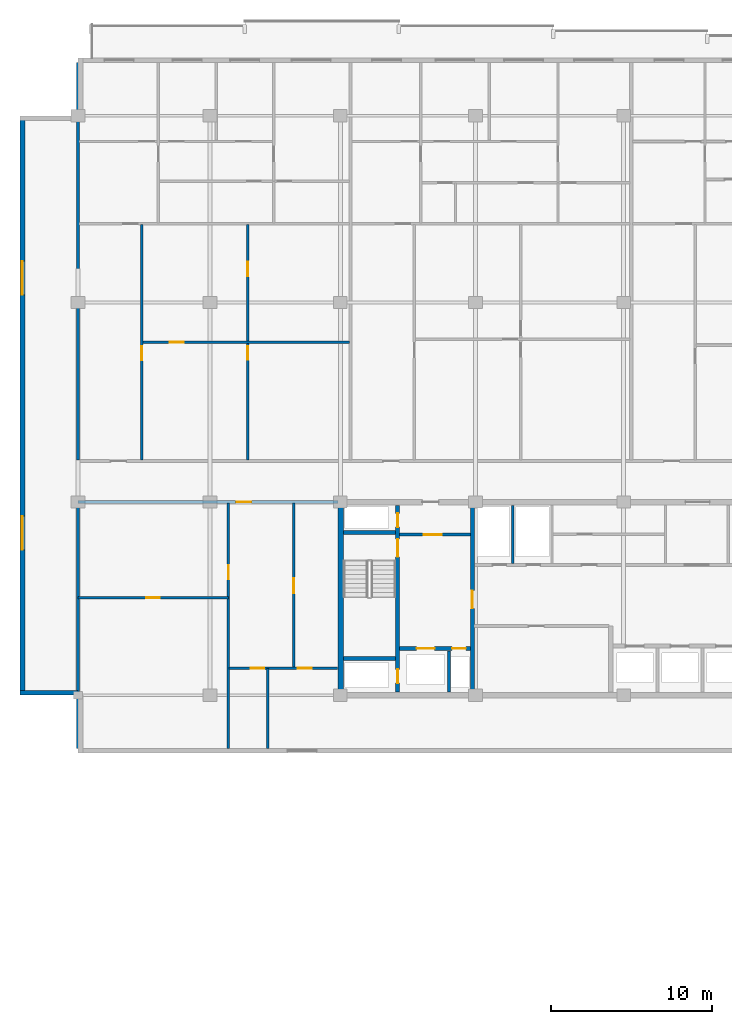
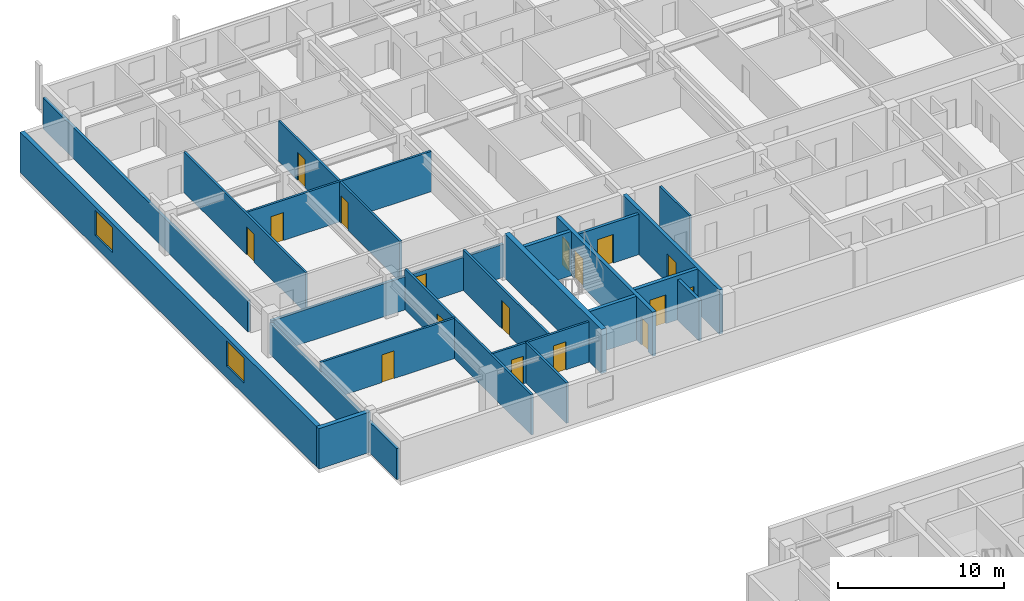
# One storey, part 11 of 23: 22 walls, 17 doors, 2 windows, 19 openings.
"""IFC4 building model written with IfcOpenShell, lengths in metres."""

from ifc_helpers import new_model, si_unit, direction, frame, frame_2d, origin, place, context, subcontext, project, spatial, rectangle, extrude, material, layer, layer_set, type_object, element, fill, save


model = new_model("IFC4")

# Units and contexts
model_context = context("Model", 3, precision=1e-05, world=origin(), true_north=direction((0.0, 1.0)))
body_context = subcontext(model_context, "Body", "Model", "MODEL_VIEW")
ifc_project = project(units=[si_unit("LENGTHUNIT", "METRE"), si_unit("AREAUNIT", "SQUARE_METRE"), si_unit("VOLUMEUNIT", "CUBIC_METRE"), si_unit("PLANEANGLEUNIT", "RADIAN"), si_unit("MASSUNIT", "GRAM", prefix="KILO")], contexts=[model_context])

# Site, building, storey
site_placement = place(None, origin())
site = spatial("IfcSite", under=ifc_project, at=site_placement, CompositionType="ELEMENT")
building_placement = place(site_placement, origin())
building = spatial("IfcBuilding", under=site, at=building_placement, Name="Korimba Cascade Residences", CompositionType="ELEMENT")
storey_placement = place(building_placement, frame((0.0, 0.0, 165.35009765625)))
storey = spatial("IfcBuildingStorey", under=building, at=storey_placement, Name="L47", CompositionType="ELEMENT", Elevation=165.35009765625)

# Wall, openings, windows
ifc_material_1 = material(Name="Precast concrete C40/50", Category="concrete")
ifc_layer_1 = layer(ifc_material_1, 0.300048828125)
ifc_layer_set_1 = layer_set([ifc_layer_1], Name="Precast concrete C40/50")
wall_type_1 = type_object("IfcWallType", Name="EW-STONE-300", PredefinedType="STANDARD", material=ifc_layer_set_1)
wall_1_placement = place(storey_placement, frame((56.35009765625, 91.199951171875, 0.0), z_axis=(0.0, 0.0, 1.0), x_axis=(0.0, -1.0, 0.0)))
wall_1 = element("IfcWall", 1, at=wall_1_placement, inside=storey, type_object=wall_type_1, Name="L47 T1 Perimeter Stone Wall E09", PredefinedType="STANDARD", context=body_context, shape_type="SweptSolid", body=[
    extrude(rectangle(XDim=36.0, YDim=0.300048828125, at=frame_2d((18.0, 0.0))), origin(), (0.0, 0.0, 1.0), 2.969970703125),
])
opening_1_placement = place(wall_1_placement, frame((9.030029296875, 0.0, 0.85009765625)))
opening_1 = element("IfcOpeningElement", 2, at=opening_1_placement, cuts=wall_1, Name="Opening W-03", PredefinedType="OPENING", context=body_context, shape_type="SweptSolid", body=[
    extrude(rectangle(XDim=2.10009765625, YDim=1.85009765625, at=frame_2d((1.050048828125, 0.925048828125))), frame((0.0, 0.16015625, 0.0), z_axis=(0.0, -1.0, 0.0), x_axis=(1.0, 0.0, 0.0)), (0.0, 0.0, 1.0), 0.320068359375),
])
opening_2_placement = place(wall_1_placement, frame((24.8701171875, 0.0, 0.85009765625)))
opening_2 = element("IfcOpeningElement", 3, at=opening_2_placement, cuts=wall_1, Name="Opening W-03", PredefinedType="OPENING", context=body_context, shape_type="SweptSolid", body=[
    extrude(rectangle(XDim=2.10009765625, YDim=1.85009765625, at=frame_2d((1.050048828125, 0.925048828125))), frame((0.0, 0.16015625, 0.0), z_axis=(0.0, -1.0, 0.0), x_axis=(1.0, 0.0, 0.0)), (0.0, 0.0, 1.0), 0.320068359375),
])
ifc_material_2 = material(Name="Double-Glazed Aluminium Window", Category="aluminium")
window_type = type_object("IfcWindowType", Name="WIN-CRN-2100", PartitioningType="DOUBLE_PANEL_HORIZONTAL", PredefinedType="WINDOW", material=ifc_material_2)
window_1_placement = place(opening_1_placement, origin())
window_1 = element("IfcWindow", 4, at=window_1_placement, inside=storey, type_object=window_type, Name="L47 T1 End View Window 9.1", OverallHeight=1.85009765625, OverallWidth=2.10009765625, PartitioningType="DOUBLE_PANEL_HORIZONTAL", PredefinedType="WINDOW", context=body_context, shape_type="SweptSolid", body=[
    extrude(rectangle(XDim=2.10009765625, YDim=1.85009765625, at=frame_2d((1.050048828125, 0.925048828125))), frame((0.0, 0.030029296875, 0.0), z_axis=(0.0, -1.0, 0.0), x_axis=(1.0, 0.0, 0.0)), (0.0, 0.0, 1.0), 0.06005859375),
])
fill(opening_1, window_1)
window_2_placement = place(opening_2_placement, origin())
window_2 = element("IfcWindow", 5, at=window_2_placement, inside=storey, type_object=window_type, Name="L47 T1 End View Window 9.2", OverallHeight=1.85009765625, OverallWidth=2.10009765625, PartitioningType="DOUBLE_PANEL_HORIZONTAL", PredefinedType="WINDOW", context=body_context, shape_type="SweptSolid", body=[
    extrude(rectangle(XDim=2.10009765625, YDim=1.85009765625, at=frame_2d((1.050048828125, 0.925048828125))), frame((0.0, 0.030029296875, 0.0), z_axis=(0.0, -1.0, 0.0), x_axis=(1.0, 0.0, 0.0)), (0.0, 0.0, 1.0), 0.06005859375),
])
fill(opening_2, window_2)

# Walls
wall_2_placement = place(storey_placement, frame((56.199951171875, 55.35009765625, 0.0), z_axis=(0.0, 0.0, 1.0), x_axis=(1.0, 0.0, 0.0)))
element("IfcWall", 6, at=wall_2_placement, inside=storey, type_object=wall_type_1, Name="L47 T1 Perimeter Stone Wall E10", PredefinedType="STANDARD", context=body_context, shape_type="SweptSolid", body=[
    extrude(rectangle(XDim=3.60009765625, YDim=0.300048828125, at=frame_2d((1.800048828125, 0.0))), origin(), (0.0, 0.0, 1.0), 2.969970703125),
])
ifc_material_3 = material(Name="Concrete C65/80", Category="concrete")
ifc_layer_2 = layer(ifc_material_3, 0.35009765625)
ifc_layer_set_2 = layer_set([ifc_layer_2], Name="Concrete C65/80")
wall_type_2 = type_object("IfcWallType", Name="WAL-CORE-350", PredefinedType="SHEAR", material=ifc_layer_set_2)
wall_3_placement = place(storey_placement, frame((76.125, 55.375, 0.0), z_axis=(0.0, 0.0, 1.0), x_axis=(0.0, 1.0, 0.0)))
element("IfcWall", 7, at=wall_3_placement, inside=storey, type_object=wall_type_2, Name="L47 Core Shear Wall CW-L47-T1-W", PredefinedType="SHEAR", context=body_context, shape_type="SweptSolid", body=[
    extrude(rectangle(XDim=11.64990234375, YDim=0.35009765625, at=frame_2d((5.824951171875, 0.0))), origin(), (0.0, 0.0, 1.0), 3.25),
])
ifc_layer_3 = layer(ifc_material_1, 0.199951171875)
ifc_layer_set_3 = layer_set([ifc_layer_3], Name="Precast concrete C40/50")
wall_type_3 = type_object("IfcWallType", Name="WAL-IT-200", PredefinedType="PARTITIONING", material=ifc_layer_set_3)
wall_4_placement = place(storey_placement, frame((59.800048828125, 51.89990234375, 0.0), z_axis=(0.0, 0.0, 1.0), x_axis=(0.0, 1.0, 0.0)))
element("IfcWall", 8, at=wall_4_placement, inside=storey, type_object=wall_type_3, Name="L47 Partition Wall WAL-L47-T1-FW-WL", PredefinedType="PARTITIONING", context=body_context, shape_type="SweptSolid", body=[
    extrude(rectangle(XDim=15.300048828125, YDim=0.199951171875, at=frame_2d((7.64990234375, 0.0))), origin(), (0.0, 0.0, 1.0), 2.277099609375),
])

# Wall, opening, door
wall_5_placement = place(storey_placement, frame((59.800048828125, 67.199951171875, 0.0), z_axis=(0.0, 0.0, 1.0), x_axis=(1.0, 0.0, 0.0)))
wall_5 = element("IfcWall", 9, at=wall_5_placement, inside=storey, type_object=wall_type_3, Name="L47 Partition Wall WAL-L47-T1-FW-N", PredefinedType="PARTITIONING", context=body_context, shape_type="SweptSolid", body=[
    extrude(rectangle(XDim=16.14990234375, YDim=0.199951171875, at=frame_2d((8.074951171875, 0.0))), origin(), (0.0, 0.0, 1.0), 2.43310546875),
])
opening_3_placement = place(wall_5_placement, frame((9.823486328125, 0.0, 0.0)))
opening_3 = element("IfcOpeningElement", 10, at=opening_3_placement, cuts=wall_5, Name="Opening D-UN1", PredefinedType="OPENING", context=body_context, shape_type="SweptSolid", body=[
    extrude(rectangle(XDim=0.949951171875, YDim=2.14990234375, at=frame_2d((0.47509765625, 1.074951171875))), frame((0.0, 0.10986328125, 0.0), z_axis=(0.0, -1.0, 0.0), x_axis=(1.0, 0.0, 0.0)), (0.0, 0.0, 1.0), 0.219970703125),
])
ifc_material_4 = material(Name="Fire-Rated Hardwood Apartment Entrance Door", Category="wood")
door_type_1 = type_object("IfcDoorType", Name="DR-FD60-950", OperationType="NOTDEFINED", PredefinedType="DOOR", material=ifc_material_4)
door_1_placement = place(opening_3_placement, origin())
door_1 = element("IfcDoor", 11, at=door_1_placement, inside=storey, type_object=door_type_1, Name="L47-T1-FW Entrance Door", OperationType="SINGLE_SWING_RIGHT", OverallHeight=2.14990234375, OverallWidth=0.949951171875, PredefinedType="DOOR", context=body_context, shape_type="SweptSolid", body=[
    extrude(rectangle(XDim=0.949951171875, YDim=2.14990234375, at=frame_2d((0.47509765625, 1.074951171875))), frame((0.0, 0.02490234375, 0.0), z_axis=(0.0, -1.0, 0.0), x_axis=(1.0, 0.0, 0.0)), (0.0, 0.0, 1.0), 0.050048828125),
])
fill(opening_3, door_1)

# Walls
wall_6_placement = place(storey_placement, frame((59.800048828125, 69.830078125, 0.0), z_axis=(0.0, 0.0, 1.0), x_axis=(0.0, 1.0, 0.0)))
element("IfcWall", 12, at=wall_6_placement, inside=storey, type_object=wall_type_3, Name="L47 Partition Wall WAL-L47-T1-BNDWL", PredefinedType="PARTITIONING", context=body_context, shape_type="SweptSolid", body=[
    extrude(rectangle(XDim=24.669921875, YDim=0.199951171875, at=frame_2d((12.3349609375, 0.0))), origin(), (0.0, 0.0, 1.0), 2.277099609375),
])
ifc_material_5 = material(Name="Insulated Acoustic Stud Partition", Category="gypsum")
ifc_layer_4 = layer(ifc_material_5, 0.14990234375)
ifc_layer_set_4 = layer_set([ifc_layer_4], Name="Insulated Acoustic Stud Partition")
wall_type_4 = type_object("IfcWallType", Name="WAL-PART-150", PredefinedType="PARTITIONING", material=ifc_layer_set_4)
wall_7_placement = place(storey_placement, frame((86.800048828125, 63.39990234375, 0.0), z_axis=(0.0, 0.0, 1.0), x_axis=(0.0, 1.0, 0.0)))
element("IfcWall", 13, at=wall_7_placement, inside=storey, type_object=wall_type_4, Name="L47 Partition Wall CW-L47-T1-ERDIV", PredefinedType="PARTITIONING", context=body_context, shape_type="SweptSolid", body=[
    extrude(rectangle(XDim=3.60009765625, YDim=0.14990234375, at=frame_2d((1.800048828125, 0.0))), origin(), (0.0, 0.0, 1.0), 2.969970703125),
])

# Wall, opening, door
wall_8_placement = place(storey_placement, frame((59.800048828125, 61.25, 0.0), z_axis=(0.0, 0.0, 1.0), x_axis=(1.0, 0.0, 0.0)))
wall_8 = element("IfcWall", 14, at=wall_8_placement, inside=storey, type_object=wall_type_4, Name="L47 Partition Wall WAL-L47-T1-FW-STH", PredefinedType="PARTITIONING", context=body_context, shape_type="SweptSolid", body=[
    extrude(rectangle(XDim=9.349853515625, YDim=0.14990234375, at=frame_2d((4.6748046875, 0.0))), origin(), (0.0, 0.0, 1.0), 2.969970703125),
])
opening_4_placement = place(wall_8_placement, frame((4.2548828125, 0.0, 0.0)))
opening_4 = element("IfcOpeningElement", 15, at=opening_4_placement, cuts=wall_8, Name="Opening D-BT1", PredefinedType="OPENING", context=body_context, shape_type="SweptSolid", body=[
    extrude(rectangle(XDim=0.840087890625, YDim=2.0400390625, at=frame_2d((0.419921875, 1.02001953125))), frame((0.0, 0.0849609375, 0.0), z_axis=(0.0, -1.0, 0.0), x_axis=(1.0, 0.0, 0.0)), (0.0, 0.0, 1.0), 0.169921875),
])
ifc_material_6 = material(Name="Moisture-Resistant Bathroom Timber Door", Category="wood")
door_type_2 = type_object("IfcDoorType", Name="DR-INT-850", OperationType="NOTDEFINED", PredefinedType="DOOR", material=ifc_material_6)
door_2_placement = place(opening_4_placement, origin())
door_2 = element("IfcDoor", 16, at=door_2_placement, inside=storey, type_object=door_type_2, Name="L47-T1-FW Dressing Store Door", OperationType="SINGLE_SWING_LEFT", OverallHeight=2.0400390625, OverallWidth=0.840087890625, PredefinedType="DOOR", context=body_context, shape_type="SweptSolid", body=[
    extrude(rectangle(XDim=0.840087890625, YDim=2.0400390625, at=frame_2d((0.419921875, 1.02001953125))), frame((0.0, 0.02490234375, 0.0), z_axis=(0.0, -1.0, 0.0), x_axis=(1.0, 0.0, 0.0)), (0.0, 0.0, 1.0), 0.050048828125),
])
fill(opening_4, door_2)

wall_9_placement = place(storey_placement, frame((69.14990234375, 51.89990234375, 0.0), z_axis=(0.0, 0.0, 1.0), x_axis=(0.0, 1.0, 0.0)))
wall_9 = element("IfcWall", 17, at=wall_9_placement, inside=storey, type_object=wall_type_4, Name="L47 Partition Wall WAL-L47-T1-FW-STV", PredefinedType="PARTITIONING", context=body_context, shape_type="SweptSolid", body=[
    extrude(rectangle(XDim=15.25, YDim=0.14990234375, at=frame_2d((7.625, 0.0))), origin(), (0.0, 0.0, 1.0), 2.969970703125),
])
opening_5_placement = place(wall_9_placement, frame((10.5, 0.0, 0.0)))
opening_5 = element("IfcOpeningElement", 18, at=opening_5_placement, cuts=wall_9, Name="Opening D-IN2", PredefinedType="OPENING", context=body_context, shape_type="SweptSolid", body=[
    extrude(rectangle(XDim=0.8798828125, YDim=2.06005859375, at=frame_2d((0.43994140625, 1.030029296875))), frame((0.0, 0.0849609375, 0.0), z_axis=(0.0, -1.0, 0.0), x_axis=(1.0, 0.0, 0.0)), (0.0, 0.0, 1.0), 0.169921875),
])
ifc_material_7 = material(Name="Acoustic Timber Bedroom Door", Category="wood")
door_type_3 = type_object("IfcDoorType", Name="DR-INT-880", OperationType="NOTDEFINED", PredefinedType="DOOR", material=ifc_material_7)
door_3_placement = place(opening_5_placement, origin())
door_3 = element("IfcDoor", 19, at=door_3_placement, inside=storey, type_object=door_type_3, Name="L47-T1-FW Study Door", OperationType="SINGLE_SWING_RIGHT", OverallHeight=2.06005859375, OverallWidth=0.8798828125, PredefinedType="DOOR", context=body_context, shape_type="SweptSolid", body=[
    extrude(rectangle(XDim=0.8798828125, YDim=2.06005859375, at=frame_2d((0.43994140625, 1.030029296875))), frame((0.0, 0.02490234375, 0.0), z_axis=(0.0, -1.0, 0.0), x_axis=(1.0, 0.0, 0.0)), (0.0, 0.0, 1.0), 0.050048828125),
])
fill(opening_5, door_3)

wall_10_placement = place(storey_placement, frame((73.199951171875, 56.8701171875, 0.0), z_axis=(0.0, 0.0, 1.0), x_axis=(0.0, 1.0, 0.0)))
wall_10 = element("IfcWall", 20, at=wall_10_placement, inside=storey, type_object=wall_type_4, Name="L47 Partition Wall WAL-L47-T1-FW-VN", PredefinedType="PARTITIONING", context=body_context, shape_type="SweptSolid", body=[
    extrude(rectangle(XDim=10.27978515625, YDim=0.14990234375, at=frame_2d((5.139892578125, 0.0))), origin(), (0.0, 0.0, 1.0), 2.969970703125),
])
opening_6_placement = place(wall_10_placement, frame((4.679931640625, 0.0, 0.0)))
opening_6 = element("IfcOpeningElement", 21, at=opening_6_placement, cuts=wall_10, Name="Opening D-IN1", PredefinedType="OPENING", context=body_context, shape_type="SweptSolid", body=[
    extrude(rectangle(XDim=0.919921875, YDim=2.080078125, at=frame_2d((0.4599609375, 1.0400390625))), frame((0.0, 0.0849609375, 0.0), z_axis=(0.0, -1.0, 0.0), x_axis=(1.0, 0.0, 0.0)), (0.0, 0.0, 1.0), 0.169921875),
])
ifc_material_8 = material(Name="Acoustic Timber Living Door", Category="wood")
door_type_4 = type_object("IfcDoorType", Name="DR-INT-920", OperationType="NOTDEFINED", PredefinedType="DOOR", material=ifc_material_8)
door_4_placement = place(opening_6_placement, origin())
door_4 = element("IfcDoor", 22, at=door_4_placement, inside=storey, type_object=door_type_4, Name="L47-T1-FW Living Door", OperationType="SINGLE_SWING_LEFT", OverallHeight=2.080078125, OverallWidth=0.919921875, PredefinedType="DOOR", context=body_context, shape_type="SweptSolid", body=[
    extrude(rectangle(XDim=0.919921875, YDim=2.080078125, at=frame_2d((0.4599609375, 1.0400390625))), frame((0.0, 0.02490234375, 0.0), z_axis=(0.0, -1.0, 0.0), x_axis=(1.0, 0.0, 0.0)), (0.0, 0.0, 1.0), 0.050048828125),
])
fill(opening_6, door_4)

# Wall
wall_11_placement = place(storey_placement, frame((71.60009765625, 51.89990234375, 0.0), z_axis=(0.0, 0.0, 1.0), x_axis=(0.0, 1.0, 0.0)))
element("IfcWall", 23, at=wall_11_placement, inside=storey, type_object=wall_type_4, Name="L47 Partition Wall WAL-L47-T1-FW-VS", PredefinedType="PARTITIONING", context=body_context, shape_type="SweptSolid", body=[
    extrude(rectangle(XDim=4.97021484375, YDim=0.14990234375, at=frame_2d((2.485107421875, 0.0))), origin(), (0.0, 0.0, 1.0), 2.969970703125),
])

# Wall, openings, doors
wall_12_placement = place(storey_placement, frame((69.169921875, 56.8701171875, 0.0), z_axis=(0.0, 0.0, 1.0), x_axis=(1.0, 0.0, 0.0)))
wall_12 = element("IfcWall", 24, at=wall_12_placement, inside=storey, type_object=wall_type_4, Name="L47 Partition Wall WAL-L47-T1-FW-H", PredefinedType="PARTITIONING", context=body_context, shape_type="SweptSolid", body=[
    extrude(rectangle(XDim=6.760009765625, YDim=0.14990234375, at=frame_2d((3.3798828125, 0.0))), origin(), (0.0, 0.0, 1.0), 2.969970703125),
])
opening_7_placement = place(wall_12_placement, frame((1.3623046875, 0.0, 0.0)))
opening_7 = element("IfcOpeningElement", 25, at=opening_7_placement, cuts=wall_12, Name="Opening D-BT1", PredefinedType="OPENING", context=body_context, shape_type="SweptSolid", body=[
    extrude(rectangle(XDim=0.840087890625, YDim=2.0400390625, at=frame_2d((0.419921875, 1.02001953125))), frame((0.0, 0.0849609375, 0.0), z_axis=(0.0, -1.0, 0.0), x_axis=(1.0, 0.0, 0.0)), (0.0, 0.0, 1.0), 0.169921875),
])
opening_8_placement = place(wall_12_placement, frame((4.276611328125, 0.0, 0.0)))
opening_8 = element("IfcOpeningElement", 26, at=opening_8_placement, cuts=wall_12, Name="Opening D-IN2", PredefinedType="OPENING", context=body_context, shape_type="SweptSolid", body=[
    extrude(rectangle(XDim=0.8798828125, YDim=2.06005859375, at=frame_2d((0.43994140625, 1.030029296875))), frame((0.0, 0.0849609375, 0.0), z_axis=(0.0, -1.0, 0.0), x_axis=(1.0, 0.0, 0.0)), (0.0, 0.0, 1.0), 0.169921875),
])
door_5_placement = place(opening_7_placement, origin())
door_5 = element("IfcDoor", 27, at=door_5_placement, inside=storey, type_object=door_type_2, Name="L47-T1-FW Bathroom Door", OperationType="SINGLE_SWING_RIGHT", OverallHeight=2.0400390625, OverallWidth=0.840087890625, PredefinedType="DOOR", context=body_context, shape_type="SweptSolid", body=[
    extrude(rectangle(XDim=0.840087890625, YDim=2.0400390625, at=frame_2d((0.419921875, 1.02001953125))), frame((0.0, 0.02490234375, 0.0), z_axis=(0.0, -1.0, 0.0), x_axis=(1.0, 0.0, 0.0)), (0.0, 0.0, 1.0), 0.050048828125),
])
fill(opening_7, door_5)
door_6_placement = place(opening_8_placement, origin())
door_6 = element("IfcDoor", 28, at=door_6_placement, inside=storey, type_object=door_type_3, Name="L47-T1-FW Bedroom Door", OperationType="SINGLE_SWING_LEFT", OverallHeight=2.06005859375, OverallWidth=0.8798828125, PredefinedType="DOOR", context=body_context, shape_type="SweptSolid", body=[
    extrude(rectangle(XDim=0.8798828125, YDim=2.06005859375, at=frame_2d((0.43994140625, 1.030029296875))), frame((0.0, 0.02490234375, 0.0), z_axis=(0.0, -1.0, 0.0), x_axis=(1.0, 0.0, 0.0)), (0.0, 0.0, 1.0), 0.050048828125),
])
fill(opening_8, door_6)

wall_13_placement = place(storey_placement, frame((70.342529296875, 69.81005859375, 0.0), z_axis=(0.0, 0.0, 1.0), x_axis=(0.0, 1.0, 0.0)))
wall_13 = element("IfcWall", 29, at=wall_13_placement, inside=storey, type_object=wall_type_4, Name="L47 Partition Wall WAL-L47-T1-U01-FMV", PredefinedType="PARTITIONING", context=body_context, shape_type="SweptSolid", body=[
    extrude(rectangle(XDim=14.64990234375, YDim=0.14990234375, at=frame_2d((7.324951171875, 0.0))), origin(), (0.0, 0.0, 1.0), 2.969970703125),
])
opening_9_placement = place(wall_13_placement, frame((6.235107421875, 0.0, 0.0)))
opening_9 = element("IfcOpeningElement", 30, at=opening_9_placement, cuts=wall_13, Name="Opening D-BT1", PredefinedType="OPENING", context=body_context, shape_type="SweptSolid", body=[
    extrude(rectangle(XDim=0.840087890625, YDim=2.0400390625, at=frame_2d((0.419921875, 1.02001953125))), frame((0.0, 0.0849609375, 0.0), z_axis=(0.0, -1.0, 0.0), x_axis=(1.0, 0.0, 0.0)), (0.0, 0.0, 1.0), 0.169921875),
])
opening_10_placement = place(wall_13_placement, frame((11.4326171875, 0.0, 0.0)))
opening_10 = element("IfcOpeningElement", 31, at=opening_10_placement, cuts=wall_13, Name="Opening D-IN2", PredefinedType="OPENING", context=body_context, shape_type="SweptSolid", body=[
    extrude(rectangle(XDim=0.8798828125, YDim=2.06005859375, at=frame_2d((0.43994140625, 1.030029296875))), frame((0.0, 0.0849609375, 0.0), z_axis=(0.0, -1.0, 0.0), x_axis=(1.0, 0.0, 0.0)), (0.0, 0.0, 1.0), 0.169921875),
])
door_7_placement = place(opening_9_placement, origin())
door_7 = element("IfcDoor", 32, at=door_7_placement, inside=storey, type_object=door_type_2, Name="L47-T1-U01 Wardrobe Door", OperationType="SINGLE_SWING_LEFT", OverallHeight=2.0400390625, OverallWidth=0.840087890625, PredefinedType="DOOR", context=body_context, shape_type="SweptSolid", body=[
    extrude(rectangle(XDim=0.840087890625, YDim=2.0400390625, at=frame_2d((0.419921875, 1.02001953125))), frame((0.0, 0.02490234375, 0.0), z_axis=(0.0, -1.0, 0.0), x_axis=(1.0, 0.0, 0.0)), (0.0, 0.0, 1.0), 0.050048828125),
])
fill(opening_9, door_7)
door_8_placement = place(opening_10_placement, origin())
door_8 = element("IfcDoor", 33, at=door_8_placement, inside=storey, type_object=door_type_3, Name="L47-T1-U01 Music Lounge Door", OperationType="SINGLE_SWING_RIGHT", OverallHeight=2.06005859375, OverallWidth=0.8798828125, PredefinedType="DOOR", context=body_context, shape_type="SweptSolid", body=[
    extrude(rectangle(XDim=0.8798828125, YDim=2.06005859375, at=frame_2d((0.43994140625, 1.030029296875))), frame((0.0, 0.02490234375, 0.0), z_axis=(0.0, -1.0, 0.0), x_axis=(1.0, 0.0, 0.0)), (0.0, 0.0, 1.0), 0.050048828125),
])
fill(opening_10, door_8)

# Wall, opening, door
wall_14_placement = place(storey_placement, frame((63.830078125, 77.135009765625, 0.0), z_axis=(0.0, 0.0, 1.0), x_axis=(1.0, 0.0, 0.0)))
wall_14 = element("IfcWall", 34, at=wall_14_placement, inside=storey, type_object=wall_type_4, Name="L47 Partition Wall WAL-L47-T1-U01-FMH", PredefinedType="PARTITIONING", context=body_context, shape_type="SweptSolid", body=[
    extrude(rectangle(XDim=12.824951171875, YDim=0.14990234375, at=frame_2d((6.41259765625, 0.0))), origin(), (0.0, 0.0, 1.0), 2.969970703125),
])
opening_11_placement = place(wall_14_placement, frame((1.666259765625, 0.0, 0.0)))
opening_11 = element("IfcOpeningElement", 35, at=opening_11_placement, cuts=wall_14, Name="Opening D-IN2", PredefinedType="OPENING", context=body_context, shape_type="SweptSolid", body=[
    extrude(rectangle(XDim=0.8798828125, YDim=2.06005859375, at=frame_2d((0.43994140625, 1.030029296875))), frame((0.0, 0.0849609375, 0.0), z_axis=(0.0, -1.0, 0.0), x_axis=(1.0, 0.0, 0.0)), (0.0, 0.0, 1.0), 0.169921875),
])
door_9_placement = place(opening_11_placement, origin())
door_9 = element("IfcDoor", 36, at=door_9_placement, inside=storey, type_object=door_type_3, Name="L47-T1-U01 Library Salon Door", OperationType="SINGLE_SWING_LEFT", OverallHeight=2.06005859375, OverallWidth=0.8798828125, PredefinedType="DOOR", context=body_context, shape_type="SweptSolid", body=[
    extrude(rectangle(XDim=0.8798828125, YDim=2.06005859375, at=frame_2d((0.43994140625, 1.030029296875))), frame((0.0, 0.02490234375, 0.0), z_axis=(0.0, -1.0, 0.0), x_axis=(1.0, 0.0, 0.0)), (0.0, 0.0, 1.0), 0.050048828125),
])
fill(opening_11, door_9)

wall_15_placement = place(storey_placement, frame((63.77001953125, 69.81005859375, 0.0), z_axis=(0.0, 0.0, 1.0), x_axis=(0.0, 1.0, 0.0)))
wall_15 = element("IfcWall", 37, at=wall_15_placement, inside=storey, type_object=wall_type_4, Name="L47 Partition Wall WAL-L47-T1-U01-FV", PredefinedType="PARTITIONING", context=body_context, shape_type="SweptSolid", body=[
    extrude(rectangle(XDim=14.64990234375, YDim=0.14990234375, at=frame_2d((7.324951171875, 0.0))), origin(), (0.0, 0.0, 1.0), 2.969970703125),
])
opening_12_placement = place(wall_15_placement, frame((6.195068359375, 0.0, 0.0)))
opening_12 = element("IfcOpeningElement", 38, at=opening_12_placement, cuts=wall_15, Name="Opening D-IN2", PredefinedType="OPENING", context=body_context, shape_type="SweptSolid", body=[
    extrude(rectangle(XDim=0.8798828125, YDim=2.06005859375, at=frame_2d((0.43994140625, 1.030029296875))), frame((0.0, 0.0849609375, 0.0), z_axis=(0.0, -1.0, 0.0), x_axis=(1.0, 0.0, 0.0)), (0.0, 0.0, 1.0), 0.169921875),
])
door_10_placement = place(opening_12_placement, origin())
door_10 = element("IfcDoor", 39, at=door_10_placement, inside=storey, type_object=door_type_3, Name="L47-T1-U01 Media Lounge Door", OperationType="SINGLE_SWING_RIGHT", OverallHeight=2.06005859375, OverallWidth=0.8798828125, PredefinedType="DOOR", context=body_context, shape_type="SweptSolid", body=[
    extrude(rectangle(XDim=0.8798828125, YDim=2.06005859375, at=frame_2d((0.43994140625, 1.030029296875))), frame((0.0, 0.02490234375, 0.0), z_axis=(0.0, -1.0, 0.0), x_axis=(1.0, 0.0, 0.0)), (0.0, 0.0, 1.0), 0.050048828125),
])
fill(opening_12, door_10)

# Wall
ifc_material_9 = material(Name="Concrete C40/50", Category="concrete")
ifc_layer_5 = layer(ifc_material_9, 0.199951171875)
ifc_layer_set_5 = layer_set([ifc_layer_5], Name="Concrete C40/50")
wall_type_5 = type_object("IfcWallType", Name="WAL-PART-200", PredefinedType="PARTITIONING", material=ifc_layer_set_5)
wall_16_placement = place(storey_placement, frame((82.85009765625, 55.39990234375, 0.0), z_axis=(0.0, 0.0, 1.0), x_axis=(0.0, 1.0, 0.0)))
element("IfcWall", 40, at=wall_16_placement, inside=storey, type_object=wall_type_5, Name="L47 Partition Wall CW-L47-T1-FFLDIV", PredefinedType="PARTITIONING", context=body_context, shape_type="SweptSolid", body=[
    extrude(rectangle(XDim=2.56005859375, YDim=0.199951171875, at=frame_2d((1.280029296875, 0.0))), origin(), (0.0, 0.0, 1.0), 2.969970703125),
])

# Wall, opening, door
wall_17_placement = place(storey_placement, frame((79.7900390625, 65.179931640625, 0.0), z_axis=(0.0, 0.0, 1.0), x_axis=(1.0, 0.0, 0.0)))
wall_17 = element("IfcWall", 41, at=wall_17_placement, inside=storey, type_object=wall_type_5, Name="L47 Partition Wall CW-L47-T1-FFLN", PredefinedType="PARTITIONING", context=body_context, shape_type="SweptSolid", body=[
    extrude(rectangle(XDim=4.389892578125, YDim=0.199951171875, at=frame_2d((2.19482421875, 0.0))), origin(), (0.0, 0.0, 1.0), 2.969970703125),
])
opening_13_placement = place(wall_17_placement, frame((1.5, 0.0, 0.0)))
opening_13 = element("IfcOpeningElement", 42, at=opening_13_placement, cuts=wall_17, Name="Opening D-FD1", PredefinedType="OPENING", context=body_context, shape_type="SweptSolid", body=[
    extrude(rectangle(XDim=1.10009765625, YDim=2.10009765625, at=frame_2d((0.550048828125, 1.050048828125))), frame((0.0, 0.10986328125, 0.0), z_axis=(0.0, -1.0, 0.0), x_axis=(1.0, 0.0, 0.0)), (0.0, 0.0, 1.0), 0.219970703125),
])
ifc_material_10 = material(Name="Fire-Rated Steel Core Door", Category="steel")
door_type_5 = type_object("IfcDoorType", Name="DR-FD120-1100", OperationType="NOTDEFINED", PredefinedType="DOOR", material=ifc_material_10)
door_11_placement = place(opening_13_placement, origin())
door_11 = element("IfcDoor", 43, at=door_11_placement, inside=storey, type_object=door_type_5, Name="L47 West Firefighting Lobby Door", OperationType="SINGLE_SWING_LEFT", OverallHeight=2.10009765625, OverallWidth=1.10009765625, PredefinedType="DOOR", context=body_context, shape_type="SweptSolid", body=[
    extrude(rectangle(XDim=1.10009765625, YDim=2.10009765625, at=frame_2d((0.550048828125, 1.050048828125))), frame((0.0, 0.02490234375, 0.0), z_axis=(0.0, -1.0, 0.0), x_axis=(1.0, 0.0, 0.0)), (0.0, 0.0, 1.0), 0.050048828125),
])
fill(opening_13, door_11)

# Wall, openings, doors
ifc_material_11 = material(Name="Concrete C50/60", Category="concrete")
ifc_layer_6 = layer(ifc_material_11, 0.25)
ifc_layer_set_6 = layer_set([ifc_layer_6], Name="Concrete C50/60")
wall_type_6 = type_object("IfcWallType", Name="WAL-SHAFT-250", PredefinedType="SHEAR", material=ifc_layer_set_6)
wall_18_placement = place(storey_placement, frame((79.6650390625, 55.39990234375, 0.0), z_axis=(0.0, 0.0, 1.0), x_axis=(0.0, 1.0, 0.0)))
wall_18 = element("IfcWall", 44, at=wall_18_placement, inside=storey, type_object=wall_type_6, Name="L47 Core Shear Wall CW-L47-T1-STW1E", PredefinedType="SHEAR", context=body_context, shape_type="SweptSolid", body=[
    extrude(rectangle(XDim=11.60009765625, YDim=0.25, at=frame_2d((5.800048828125, 0.0))), origin(), (0.0, 0.0, 1.0), 3.25),
])
opening_14_placement = place(wall_18_placement, frame((0.550048828125, 0.0, 0.0)))
opening_14 = element("IfcOpeningElement", 45, at=opening_14_placement, cuts=wall_18, Name="Opening D-RS1", PredefinedType="OPENING", context=body_context, shape_type="SweptSolid", body=[
    extrude(rectangle(XDim=0.85009765625, YDim=2.050048828125, at=frame_2d((0.425048828125, 1.02490234375))), frame((0.0, 0.135009765625, 0.0), z_axis=(0.0, -1.0, 0.0), x_axis=(1.0, 0.0, 0.0)), (0.0, 0.0, 1.0), 0.27001953125),
])
opening_15_placement = place(wall_18_placement, frame((8.39990234375, 0.0, 0.0)))
opening_15 = element("IfcOpeningElement", 46, at=opening_15_placement, cuts=wall_18, Name="Opening D-FD1", PredefinedType="OPENING", context=body_context, shape_type="SweptSolid", body=[
    extrude(rectangle(XDim=1.10009765625, YDim=2.10009765625, at=frame_2d((0.550048828125, 1.050048828125))), frame((0.0, 0.135009765625, 0.0), z_axis=(0.0, -1.0, 0.0), x_axis=(1.0, 0.0, 0.0)), (0.0, 0.0, 1.0), 0.27001953125),
])
opening_16_placement = place(wall_18_placement, frame((10.25, 0.0, 0.0)))
opening_16 = element("IfcOpeningElement", 47, at=opening_16_placement, cuts=wall_18, Name="Opening D-RS1", PredefinedType="OPENING", context=body_context, shape_type="SweptSolid", body=[
    extrude(rectangle(XDim=0.85009765625, YDim=2.050048828125, at=frame_2d((0.425048828125, 1.02490234375))), frame((0.0, 0.135009765625, 0.0), z_axis=(0.0, -1.0, 0.0), x_axis=(1.0, 0.0, 0.0)), (0.0, 0.0, 1.0), 0.27001953125),
])
door_12_placement = place(opening_15_placement, origin())
door_12 = element("IfcDoor", 48, at=door_12_placement, inside=storey, type_object=door_type_5, Name="L47 Fire Stair ST-W1 Door", OperationType="SINGLE_SWING_RIGHT", OverallHeight=2.10009765625, OverallWidth=1.10009765625, PredefinedType="DOOR", context=body_context, shape_type="SweptSolid", body=[
    extrude(rectangle(XDim=1.10009765625, YDim=2.10009765625, at=frame_2d((0.550048828125, 1.050048828125))), frame((0.0, 0.02490234375, 0.0), z_axis=(0.0, -1.0, 0.0), x_axis=(1.0, 0.0, 0.0)), (0.0, 0.0, 1.0), 0.050048828125),
])
fill(opening_15, door_12)
ifc_material_12 = material(Name="Fire-Rated Steel Riser Access Door", Category="steel")
door_type_6 = type_object("IfcDoorType", Name="DR-FD60-850", OperationType="NOTDEFINED", PredefinedType="DOOR", material=ifc_material_12)
door_13_placement = place(opening_14_placement, origin())
door_13 = element("IfcDoor", 49, at=door_13_placement, inside=storey, type_object=door_type_6, Name="L47 Smoke Riser Access Door", OperationType="SINGLE_SWING_LEFT", OverallHeight=2.050048828125, OverallWidth=0.85009765625, PredefinedType="DOOR", context=body_context, shape_type="SweptSolid", body=[
    extrude(rectangle(XDim=0.85009765625, YDim=2.050048828125, at=frame_2d((0.425048828125, 1.02490234375))), frame((0.0, 0.02490234375, 0.0), z_axis=(0.0, -1.0, 0.0), x_axis=(1.0, 0.0, 0.0)), (0.0, 0.0, 1.0), 0.050048828125),
])
fill(opening_14, door_13)
door_14_placement = place(opening_16_placement, origin())
door_14 = element("IfcDoor", 50, at=door_14_placement, inside=storey, type_object=door_type_6, Name="L47 Hydrant Riser Access Door", OperationType="SINGLE_SWING_LEFT", OverallHeight=2.050048828125, OverallWidth=0.85009765625, PredefinedType="DOOR", context=body_context, shape_type="SweptSolid", body=[
    extrude(rectangle(XDim=0.85009765625, YDim=2.050048828125, at=frame_2d((0.425048828125, 1.02490234375))), frame((0.0, 0.02490234375, 0.0), z_axis=(0.0, -1.0, 0.0), x_axis=(1.0, 0.0, 0.0)), (0.0, 0.0, 1.0), 0.050048828125),
])
fill(opening_16, door_14)

# Walls
for number, where, z_axis, x_axis, name in (
    (51, (76.300048828125, 57.47509765625, 0.0), (0.0, 0.0, 1.0), (1.0, 0.0, 0.0), "L47 Core Shear Wall CW-L47-T1-STW1S"),
    (52, (76.300048828125, 65.324951171875, 0.0), (0.0, 0.0, 1.0), (1.0, 0.0, 0.0), "L47 Core Shear Wall CW-L47-T1-STW1N"),
):
    element("IfcWall", number, at=place(storey_placement, frame(where, z_axis=z_axis, x_axis=x_axis)), inside=storey, type_object=wall_type_6, Name=name, PredefinedType="SHEAR", context=body_context, shape_type="SweptSolid", body=[
        extrude(rectangle(XDim=3.239990234375, YDim=0.25, at=frame_2d((1.6201171875, 0.0))), origin(), (0.0, 0.0, 1.0), 3.25),
    ])

# Wall, openings, doors
wall_19_placement = place(storey_placement, frame((79.7900390625, 58.10009765625, 0.0), z_axis=(0.0, 0.0, 1.0), x_axis=(1.0, 0.0, 0.0)))
wall_19 = element("IfcWall", 53, at=wall_19_placement, inside=storey, type_object=wall_type_6, Name="L47 Core Shear Wall CW-L47-T1-FFLS", PredefinedType="SHEAR", context=body_context, shape_type="SweptSolid", body=[
    extrude(rectangle(XDim=4.389892578125, YDim=0.25, at=frame_2d((2.19482421875, 0.0))), origin(), (0.0, 0.0, 1.0), 3.25),
])
opening_17_placement = place(wall_19_placement, frame((1.050048828125, 0.0, 0.0)))
opening_17 = element("IfcOpeningElement", 54, at=opening_17_placement, cuts=wall_19, Name="Opening LD-01", PredefinedType="OPENING", context=body_context, shape_type="SweptSolid", body=[
    extrude(rectangle(XDim=1.1201171875, YDim=2.1201171875, at=frame_2d((0.56005859375, 1.06005859375))), frame((0.0, 0.135009765625, 0.0), z_axis=(0.0, -1.0, 0.0), x_axis=(1.0, 0.0, 0.0)), (0.0, 0.0, 1.0), 0.27001953125),
])
opening_18_placement = place(wall_19_placement, frame((3.260009765625, 0.0, 0.0)))
opening_18 = element("IfcOpeningElement", 55, at=opening_18_placement, cuts=wall_19, Name="Opening D-RS1", PredefinedType="OPENING", context=body_context, shape_type="SweptSolid", body=[
    extrude(rectangle(XDim=0.85009765625, YDim=2.050048828125, at=frame_2d((0.425048828125, 1.02490234375))), frame((0.0, 0.135009765625, 0.0), z_axis=(0.0, -1.0, 0.0), x_axis=(1.0, 0.0, 0.0)), (0.0, 0.0, 1.0), 0.27001953125),
])
door_15_placement = place(opening_18_placement, origin())
door_15 = element("IfcDoor", 56, at=door_15_placement, inside=storey, type_object=door_type_6, Name="L47 Pressurisation Riser Door", OperationType="SINGLE_SWING_RIGHT", OverallHeight=2.050048828125, OverallWidth=0.85009765625, PredefinedType="DOOR", context=body_context, shape_type="SweptSolid", body=[
    extrude(rectangle(XDim=0.85009765625, YDim=2.050048828125, at=frame_2d((0.425048828125, 1.02490234375))), frame((0.0, 0.02490234375, 0.0), z_axis=(0.0, -1.0, 0.0), x_axis=(1.0, 0.0, 0.0)), (0.0, 0.0, 1.0), 0.050048828125),
])
fill(opening_18, door_15)
ifc_material_13 = material(Name="Stainless Steel Lift Landing Sliding Door", Category="steel")
door_type_7 = type_object("IfcDoorType", Name="DR-LIFT-1100", OperationType="NOTDEFINED", PredefinedType="DOOR", material=ifc_material_13)
door_16_placement = place(opening_17_placement, origin())
door_16 = element("IfcDoor", 57, at=door_16_placement, inside=storey, type_object=door_type_7, Name="L47 Firefighting Lift Landing Door FFL-W1", OperationType="SLIDING_TO_LEFT", OverallHeight=2.1201171875, OverallWidth=1.1201171875, PredefinedType="DOOR", context=body_context, shape_type="SweptSolid", body=[
    extrude(rectangle(XDim=1.1201171875, YDim=2.1201171875, at=frame_2d((0.56005859375, 1.06005859375))), frame((0.0, 0.02490234375, 0.0), z_axis=(0.0, -1.0, 0.0), x_axis=(1.0, 0.0, 0.0)), (0.0, 0.0, 1.0), 0.050048828125),
])
fill(opening_17, door_16)

# Wall, opening, door
wall_20_placement = place(storey_placement, frame((84.300048828125, 55.39990234375, 0.0), z_axis=(0.0, 0.0, 1.0), x_axis=(0.0, 1.0, 0.0)))
wall_20 = element("IfcWall", 58, at=wall_20_placement, inside=storey, type_object=wall_type_6, Name="L47 Core Shear Wall CW-L47-T1-FFLE", PredefinedType="SHEAR", context=body_context, shape_type="SweptSolid", body=[
    extrude(rectangle(XDim=11.60009765625, YDim=0.25, at=frame_2d((5.800048828125, 0.0))), origin(), (0.0, 0.0, 1.0), 3.25),
])
opening_19_placement = place(wall_20_placement, frame((5.199951171875, 0.0, 0.0)))
opening_19 = element("IfcOpeningElement", 59, at=opening_19_placement, cuts=wall_20, Name="Opening D-FD1", PredefinedType="OPENING", context=body_context, shape_type="SweptSolid", body=[
    extrude(rectangle(XDim=1.10009765625, YDim=2.10009765625, at=frame_2d((0.550048828125, 1.050048828125))), frame((0.0, 0.135009765625, 0.0), z_axis=(0.0, -1.0, 0.0), x_axis=(1.0, 0.0, 0.0)), (0.0, 0.0, 1.0), 0.27001953125),
])
door_17_placement = place(opening_19_placement, origin())
door_17 = element("IfcDoor", 60, at=door_17_placement, inside=storey, type_object=door_type_5, Name="L47 Firefighting Lobby to Lift Lobby Door", OperationType="SINGLE_SWING_RIGHT", OverallHeight=2.10009765625, OverallWidth=1.10009765625, PredefinedType="DOOR", context=body_context, shape_type="SweptSolid", body=[
    extrude(rectangle(XDim=1.10009765625, YDim=2.10009765625, at=frame_2d((0.550048828125, 1.050048828125))), frame((0.0, 0.02490234375, 0.0), z_axis=(0.0, -1.0, 0.0), x_axis=(1.0, 0.0, 0.0)), (0.0, 0.0, 1.0), 0.050048828125),
])
fill(opening_19, door_17)

save(model, "model.ifc")
